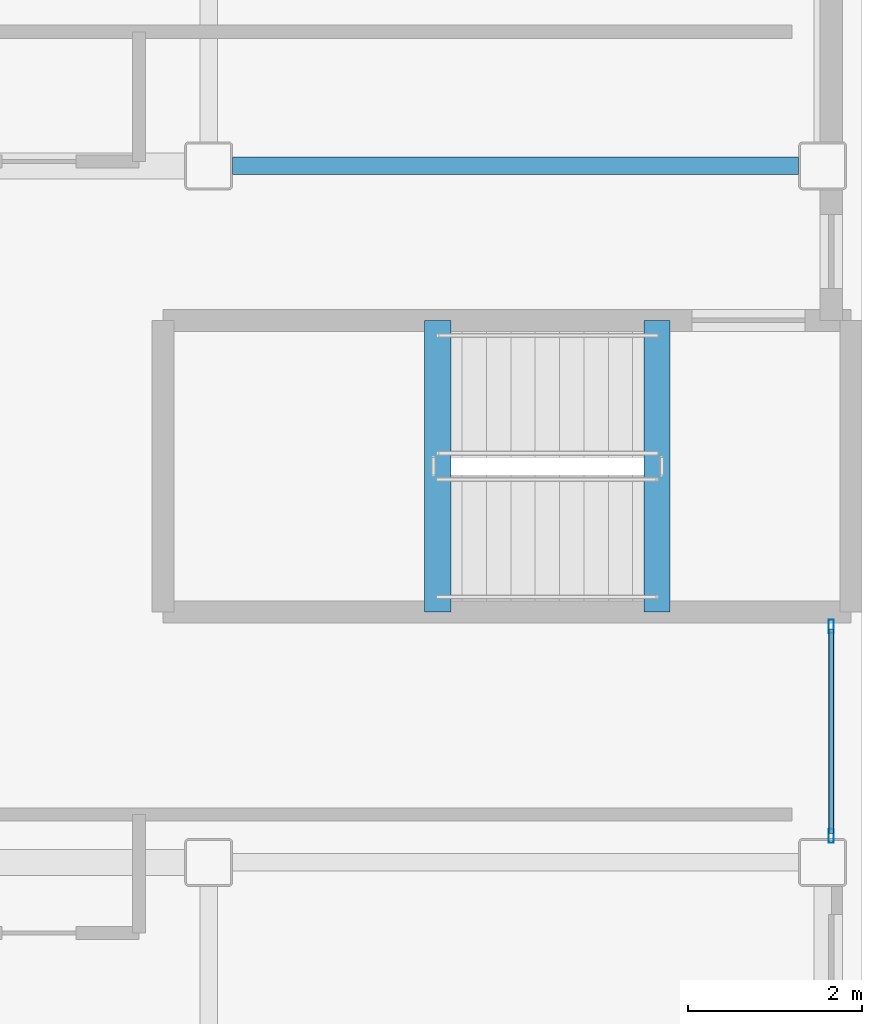
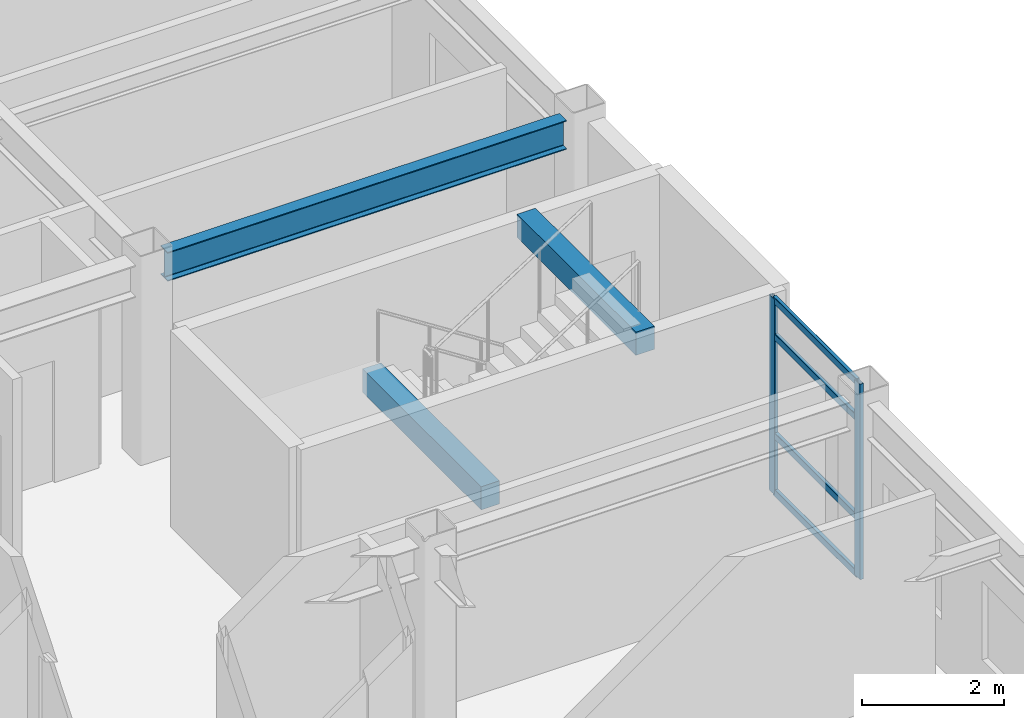
# One storey, part 11 of 36: 6 members, 3 beams, 1 element without a shape of its own.
"""IFC4 building model written with IfcOpenShell, lengths in metres."""

import ifcopenshell
import ifcopenshell.guid

model = None  # the IFC model being written
_history = None  # IfcOwnerHistory: only IFC2X3 demands one
_inside = {}  # id of a spatial element -> (the spatial element, [elements in it])
_under = {}  # id of a project, library or spatial element -> (it, [spatial elements below it])
_declared = {}  # id of a project -> (the project, [libraries it declares])
_typed = {}  # id of a type object -> (the type object, [elements of that type])
_made_of = {}  # id of a material, layer set ... -> (it, [elements and type objects made of it])


def new_model(schema):
    """Start an empty IFC model of exactly this schema.

    Asked for "IFC4X3", IfcOpenShell would pick the latest addendum, in which some entities
    have other attributes; the version numbers below select the first issue.
    IFC2X3 requires an IfcOwnerHistory on every rooted entity: one is made here for all.
    """
    global model, _history
    if schema == "IFC4X3":
        model = ifcopenshell.file(schema_version=(4, 3, 0, 0))
    else:
        model = ifcopenshell.file(schema=schema)
    _inside.clear()
    _under.clear()
    _declared.clear()
    _typed.clear()
    _made_of.clear()
    _history = None
    if model.schema == "IFC2X3":
        org = make("IfcOrganization", Name="unknown")
        user = make(
            "IfcPersonAndOrganization",
            ThePerson=make("IfcPerson", FamilyName="unknown"),
            TheOrganization=org,
        )
        app = make(
            "IfcApplication",
            ApplicationDeveloper=org,
            Version="unknown",
            ApplicationFullName="unknown",
            ApplicationIdentifier="unknown",
        )
        _history = make(
            "IfcOwnerHistory",
            OwningUser=user,
            OwningApplication=app,
            ChangeAction="ADDED",
            CreationDate=0,
        )
    return model


def make(cls, **values):
    """One entity of the class cls with the attributes given. An attribute that is None is left unset."""
    return model.create_entity(
        cls, **{name: value for name, value in values.items() if value is not None}
    )


def rooted(cls, **values):
    """An entity with a GlobalId (a new one), such as an element, a storey or a relation."""
    return make(cls, GlobalId=ifcopenshell.guid.new(), OwnerHistory=_history, **values)


def si_unit(unit_type, name, prefix=None):
    """IfcSIUnit, for example si_unit("LENGTHUNIT", "METRE", prefix="MILLI")."""
    return make("IfcSIUnit", UnitType=unit_type, Prefix=prefix, Name=name)


def assignment(units):
    """IfcUnitAssignment: the units of a project."""
    return None if units is None else make("IfcUnitAssignment", Units=units)


def point(xyz):
    """IfcCartesianPoint."""
    return None if xyz is None else make("IfcCartesianPoint", Coordinates=xyz)


def direction(xyz):
    """IfcDirection."""
    return None if xyz is None else make("IfcDirection", DirectionRatios=xyz)


def frame(location, z_axis=None, x_axis=None):
    """IfcAxis2Placement3D, a coordinate frame: its origin and axes. An axis left out is left unset."""
    return make(
        "IfcAxis2Placement3D",
        Location=point(location),
        Axis=direction(z_axis),
        RefDirection=direction(x_axis),
    )


def frame_2d(location, x_axis=None):
    """IfcAxis2Placement2D, a coordinate frame in the plane: its origin and x axis."""
    return make(
        "IfcAxis2Placement2D", Location=point(location), RefDirection=direction(x_axis)
    )


def origin():
    """The frame at (0, 0, 0) with its axes left unset."""
    return frame((0.0, 0.0, 0.0))


def origin_2d():
    """The frame at (0, 0) in the plane with its x axis left unset."""
    return frame_2d((0.0, 0.0))


def place(relative_to, where):
    """IfcLocalPlacement: puts the frame where relative to a parent placement (None: the world)."""
    return make(
        "IfcLocalPlacement", PlacementRelTo=relative_to, RelativePlacement=where
    )


def context(
    kind, dimensions, precision=None, world=None, true_north=None, identifier=None
):
    """IfcGeometricRepresentationContext, for example the 3D "Model" context."""
    return make(
        "IfcGeometricRepresentationContext",
        ContextIdentifier=identifier,
        ContextType=kind,
        CoordinateSpaceDimension=dimensions,
        Precision=precision,
        WorldCoordinateSystem=world,
        TrueNorth=true_north,
    )


def subcontext(parent, identifier, kind, view, scale=None):
    """IfcGeometricRepresentationSubContext, for example "Body" below "Model"."""
    return make(
        "IfcGeometricRepresentationSubContext",
        ContextIdentifier=identifier,
        ContextType=kind,
        ParentContext=parent,
        TargetScale=scale,
        TargetView=view,
    )


def project(units=None, contexts=None):
    """IfcProject with its units and contexts."""
    return rooted(
        "IfcProject",
        Name="project",
        RepresentationContexts=contexts,
        UnitsInContext=assignment(units),
    )


def spatial(cls, under=None, at=None, **own):
    """A site, building, storey or space (cls), placed at a placement, below another one or the project."""
    s = rooted(cls, ObjectPlacement=at, **own)
    if under is not None:
        _under.setdefault(under.id(), (under, []))[1].append(s)
    return s


def profile(cls, at=None, kind="AREA", **sizes):
    """A parametric profile (cls). Its sizes go by their IFC names, for example OverallWidth=200.0."""
    return make(cls, ProfileType=kind, Position=at, **sizes)


def rectangle(**sizes):
    """IfcRectangleProfileDef."""
    return profile("IfcRectangleProfileDef", **sizes)


def hollow_rectangle(**sizes):
    """IfcRectangleHollowProfileDef."""
    return profile("IfcRectangleHollowProfileDef", **sizes)


def i_section(**sizes):
    """IfcIShapeProfileDef."""
    return profile("IfcIShapeProfileDef", **sizes)


def extrude(swept, where, along, depth):
    """IfcExtrudedAreaSolid: the profile swept, set in the frame where, extruded along a direction by depth."""
    return make(
        "IfcExtrudedAreaSolid",
        SweptArea=swept,
        Position=where,
        ExtrudedDirection=direction(along),
        Depth=depth,
    )


def shape(context_of_items, identifier, shape_type, items):
    """IfcShapeRepresentation: the items that make up one representation, for example the "Body"."""
    return make(
        "IfcShapeRepresentation",
        ContextOfItems=context_of_items,
        RepresentationIdentifier=identifier,
        RepresentationType=shape_type,
        Items=items,
    )


def material(Name=None, Category=None):
    """IfcMaterial."""
    return make("IfcMaterial", Name=Name, Category=Category)


def layer(
    of_material, thickness, ventilated=None, Name=None, Category=None, Priority=None
):
    """IfcMaterialLayer: one layer of a wall or slab, of a material (None: an air gap)."""
    return make(
        "IfcMaterialLayer",
        Material=of_material,
        LayerThickness=thickness,
        IsVentilated=ventilated,
        Name=Name,
        Category=Category,
        Priority=Priority,
    )


def layer_set(layers, Name=None):
    """IfcMaterialLayerSet."""
    return make("IfcMaterialLayerSet", MaterialLayers=layers, LayerSetName=Name)


def material_profile(
    of_material, cross_section, Name=None, Category=None, Priority=None
):
    """IfcMaterialProfile: a cross section and its material."""
    return make(
        "IfcMaterialProfile",
        Name=Name,
        Material=of_material,
        Profile=cross_section,
        Priority=Priority,
        Category=Category,
    )


def profile_set(profiles, Name=None, composite=None):
    """IfcMaterialProfileSet."""
    return make(
        "IfcMaterialProfileSet",
        Name=Name,
        MaterialProfiles=profiles,
        CompositeProfile=composite,
    )


def made_of(thing, what):
    """Note that an element or type object is made of a material, layer set ...; save() writes the relation."""
    if what is not None:
        _made_of.setdefault(what.id(), (what, []))[1].append(thing)
    return thing


def type_object(cls, material=None, **own):
    """A type object (cls), such as IfcWallType, which elements share."""
    return made_of(rooted(cls, **own), material)


def element(
    cls,
    number,
    at=None,
    inside=None,
    cuts=None,
    type_object=None,
    material=None,
    context=None,
    identifier="Body",
    shape_type=None,
    held_by="IfcProductDefinitionShape",
    body=None,
    shapes=None,
    **own,
):
    """One element of the class cls, such as IfcWall. Its Tag is "e" and its number.

    at: its placement. inside: the storey or other place that contains it. cuts: it is an
    opening in that element (IfcRelVoidsElement). A single representation is given by context,
    identifier, shape_type and body (its items); several are given by shapes. held_by: the class
    of the entity that holds the representations. save() writes the other relations.
    """
    e = rooted(cls, Tag="e%d" % number, ObjectPlacement=at, **own)
    if body is not None:
        shapes = [shape(context, identifier, shape_type, body)]
    if shapes is not None:
        e.Representation = make(held_by, Representations=shapes)
    if inside is not None:
        _inside.setdefault(inside.id(), (inside, []))[1].append(e)
    if cuts is not None:
        rooted(
            "IfcRelVoidsElement", RelatingBuildingElement=cuts, RelatedOpeningElement=e
        )
    if type_object is not None:
        _typed.setdefault(type_object.id(), (type_object, []))[1].append(e)
    return made_of(e, material)


def aggregate(whole, parts):
    """IfcRelAggregates: a whole, such as a stair, and the parts it consists of."""
    return rooted("IfcRelAggregates", RelatingObject=whole, RelatedObjects=parts)


def save(model, path):
    """Write the relations noted so far, then the file.

    IfcRelAggregates (storeys below a building ...), IfcRelContainedInSpatialStructure (elements
    in a storey), IfcRelDefinesByType, IfcRelAssociatesMaterial and IfcRelDeclares: one each for
    every whole, place, type object, material and project.
    """
    for whole, parts in _under.values():
        aggregate(whole, parts)
    for where, things in _inside.values():
        rooted(
            "IfcRelContainedInSpatialStructure",
            RelatedElements=things,
            RelatingStructure=where,
        )
    for kind, things in _typed.values():
        rooted("IfcRelDefinesByType", RelatedObjects=things, RelatingType=kind)
    for what, things in _made_of.values():
        rooted("IfcRelAssociatesMaterial", RelatedObjects=things, RelatingMaterial=what)
    for by, libraries in _declared.values():
        rooted("IfcRelDeclares", RelatingContext=by, RelatedDefinitions=libraries)
    model.write(path)


model = new_model("IFC4")

# Units and contexts
model_context = context("Model", 3, precision=1e-05, world=origin(), true_north=direction((0.0, 1.0)))
body_context = subcontext(model_context, "Body", "Model", "MODEL_VIEW")
ifc_project = project(units=[si_unit("LENGTHUNIT", "METRE"), si_unit("AREAUNIT", "SQUARE_METRE"), si_unit("VOLUMEUNIT", "CUBIC_METRE"), si_unit("PLANEANGLEUNIT", "RADIAN"), si_unit("MASSUNIT", "GRAM", prefix="KILO")], contexts=[model_context])

# Site, building, storey
site_placement = place(None, origin())
site = spatial("IfcSite", under=ifc_project, at=site_placement, CompositionType="ELEMENT")
building_placement = place(site_placement, origin())
building = spatial("IfcBuilding", under=site, at=building_placement, Name="Kazehara Bluff Congress Hotel", CompositionType="ELEMENT")
storey_placement = place(building_placement, frame((0.0, 0.0, 28.199951171875)))
storey = spatial("IfcBuildingStorey", under=building, at=storey_placement, Name="L06", CompositionType="ELEMENT", Elevation=28.199951171875)

# Curtain wall, members
ifc_material_1 = material(Name="Anodised aluminium", Category="aluminium")
ifc_layer = layer(ifc_material_1, 0.159912109375)
ifc_layer_set = layer_set([ifc_layer], Name="Anodised aluminium")
curtain_wall_type = type_object("IfcCurtainWallType", Name="TP-CW-174", PredefinedType="NOTDEFINED", material=ifc_layer_set)
curtain_wall_placement = place(storey_placement, origin())
curtain_wall = element("IfcCurtainWall", 1, at=curtain_wall_placement, inside=storey, type_object=curtain_wall_type, Name="L06 curtain wall CW-174 CW-ENC-V5-L06-16765-1751", PredefinedType="NOTDEFINED")
ifc_material_2 = material(Name="Anodised aluminium", Category="aluminium")
ifc_material_profile_1 = material_profile(ifc_material_2, hollow_rectangle(XDim=0.06005859375, YDim=0.159912109375, WallThickness=0.00390625, InnerFilletRadius=0.00390625, OuterFilletRadius=0.008056640625, at=origin_2d()))
ifc_profile_set_1 = profile_set([ifc_material_profile_1], Name="Anodised aluminium")
member_type_1 = type_object("IfcMemberType", Name="TP-CWM-01", PredefinedType="MULLION", material=ifc_profile_set_1)
member_1_placement = place(storey_placement, frame((167.64990234375, 18.7099609375, 0.0), z_axis=(0.0, 0.0, 1.0), x_axis=(1.0, 0.0, 0.0)))
member_1 = element("IfcMember", 2, at=member_1_placement, type_object=member_type_1, Name="CW-174 mullion 1", PredefinedType="MULLION", context=body_context, shape_type="SweptSolid", body=[
    extrude(hollow_rectangle(XDim=0.06005859375, YDim=0.159912109375, WallThickness=0.00390625, InnerFilletRadius=0.00390625, OuterFilletRadius=0.008056640625, at=origin_2d()), origin(), (0.0, 0.0, 1.0), 3.364990234375),
])
member_2_placement = place(storey_placement, frame((167.64990234375, 16.304931640625, 0.0), z_axis=(0.0, 0.0, 1.0), x_axis=(1.0, 0.0, 0.0)))
member_2 = element("IfcMember", 3, at=member_2_placement, type_object=member_type_1, Name="CW-174 mullion 2", PredefinedType="MULLION", context=body_context, shape_type="SweptSolid", body=[
    extrude(hollow_rectangle(XDim=0.06005859375, YDim=0.159912109375, WallThickness=0.00390625, InnerFilletRadius=0.00390625, OuterFilletRadius=0.008056640625, at=origin_2d()), origin(), (0.0, 0.0, 1.0), 3.364990234375),
])
ifc_material_3 = material(Name="Anodised aluminium", Category="aluminium")
ifc_material_profile_2 = material_profile(ifc_material_3, hollow_rectangle(XDim=0.06005859375, YDim=0.1201171875, WallThickness=0.00390625, InnerFilletRadius=0.00390625, OuterFilletRadius=0.008056640625, at=origin_2d()))
ifc_profile_set_2 = profile_set([ifc_material_profile_2], Name="Anodised aluminium")
member_type_2 = type_object("IfcMemberType", Name="TP-CWT-01", PredefinedType="USERDEFINED", material=ifc_profile_set_2)
member_3_placement = place(storey_placement, frame((167.64990234375, 18.679931640625, 0.030029296875), z_axis=(0.0, -1.0, 0.0), x_axis=(1.0, 0.0, 0.0)))
member_3 = element("IfcMember", 4, at=member_3_placement, type_object=member_type_2, Name="CW-174 transom 1.1", ObjectType="TRANSOM", PredefinedType="USERDEFINED", context=body_context, shape_type="SweptSolid", body=[
    extrude(hollow_rectangle(XDim=0.06005859375, YDim=0.1201171875, WallThickness=0.00390625, InnerFilletRadius=0.00390625, OuterFilletRadius=0.008056640625, at=origin_2d()), origin(), (0.0, 0.0, 1.0), 2.344970703125),
])
member_4_placement = place(storey_placement, frame((167.64990234375, 18.679931640625, 1.010009765625), z_axis=(0.0, -1.0, 0.0), x_axis=(1.0, 0.0, 0.0)))
member_4 = element("IfcMember", 5, at=member_4_placement, type_object=member_type_2, Name="CW-174 transom 1.2", ObjectType="TRANSOM", PredefinedType="USERDEFINED", context=body_context, shape_type="SweptSolid", body=[
    extrude(hollow_rectangle(XDim=0.06005859375, YDim=0.1201171875, WallThickness=0.00390625, InnerFilletRadius=0.00390625, OuterFilletRadius=0.008056640625, at=origin_2d()), origin(), (0.0, 0.0, 1.0), 2.344970703125),
])
member_5_placement = place(storey_placement, frame((167.64990234375, 18.679931640625, 2.715087890625), z_axis=(0.0, -1.0, 0.0), x_axis=(1.0, 0.0, 0.0)))
member_5 = element("IfcMember", 6, at=member_5_placement, type_object=member_type_2, Name="CW-174 transom 1.3", ObjectType="TRANSOM", PredefinedType="USERDEFINED", context=body_context, shape_type="SweptSolid", body=[
    extrude(hollow_rectangle(XDim=0.06005859375, YDim=0.1201171875, WallThickness=0.00390625, InnerFilletRadius=0.00390625, OuterFilletRadius=0.008056640625, at=origin_2d()), origin(), (0.0, 0.0, 1.0), 2.344970703125),
])
member_6_placement = place(storey_placement, frame((167.64990234375, 18.679931640625, 3.3349609375), z_axis=(0.0, -1.0, 0.0), x_axis=(1.0, 0.0, 0.0)))
member_6 = element("IfcMember", 7, at=member_6_placement, type_object=member_type_2, Name="CW-174 transom 1.4", ObjectType="TRANSOM", PredefinedType="USERDEFINED", context=body_context, shape_type="SweptSolid", body=[
    extrude(hollow_rectangle(XDim=0.06005859375, YDim=0.1201171875, WallThickness=0.00390625, InnerFilletRadius=0.00390625, OuterFilletRadius=0.008056640625, at=origin_2d()), origin(), (0.0, 0.0, 1.0), 2.344970703125),
])
aggregate(curtain_wall, [member_1, member_2, member_3, member_4, member_5, member_6])

# Beams
ifc_material_4 = material(Name="Steel SN490B", Category="steel")
ifc_material_profile_3 = material_profile(ifc_material_4, i_section(OverallWidth=0.199951171875, OverallDepth=0.5, WebThickness=0.010009765625, FlangeThickness=0.01611328125, FilletRadius=0.012939453125, at=origin_2d()))
ifc_profile_set_3 = profile_set([ifc_material_profile_3], Name="Steel SN490B")
beam_type_1 = type_object("IfcBeamType", Name="TP-G-01", PredefinedType="BEAM", material=ifc_profile_set_3)
beam_placement = place(storey_placement, frame((160.77490234375, 24.0, 3.130126953125), z_axis=(1.0, 0.0, 0.0), x_axis=(0.0, 1.0, 0.0)))
element("IfcBeam", 8, at=beam_placement, inside=storey, type_object=beam_type_1, Name="L06 girder G-01 55", PredefinedType="BEAM", context=body_context, shape_type="SweptSolid", body=[
    extrude(i_section(OverallWidth=0.199951171875, OverallDepth=0.5, WebThickness=0.010009765625, FlangeThickness=0.01611328125, FilletRadius=0.012939453125, at=origin_2d()), origin(), (0.0, 0.0, 1.0), 6.5),
])
ifc_material_5 = material(Name="Concrete C40/50", Category="concrete")
ifc_material_profile_4 = material_profile(ifc_material_5, rectangle(XDim=0.300048828125, YDim=0.39990234375, at=origin_2d()))
ifc_profile_set_4 = profile_set([ifc_material_profile_4], Name="Concrete C40/50")
beam_type_2 = type_object("IfcBeamType", Name="TP-LN-02", PredefinedType="LINTEL", material=ifc_profile_set_4)
for number, where, z_axis, x_axis, name in (
    (9, (163.1298828125, 22.22509765625, 1.420166015625), (0.0, -1.0, 0.0), (1.0, 0.0, 0.0), "L06 ST-10 half-landing support beam 1"),
    (10, (165.64990234375, 22.22509765625, 3.199951171875), (0.0, -1.0, 0.0), (1.0, 0.0, 0.0), "L07 ST-10 stairwell trimmer beam"),
):
    element("IfcBeam", number, at=place(storey_placement, frame(where, z_axis=z_axis, x_axis=x_axis)), inside=storey, type_object=beam_type_2, Name=name, PredefinedType="LINTEL", context=body_context, shape_type="SweptSolid", body=[
        extrude(rectangle(XDim=0.300048828125, YDim=0.39990234375, at=origin_2d()), origin(), (0.0, 0.0, 1.0), 3.35009765625),
    ])

save(model, "model.ifc")
